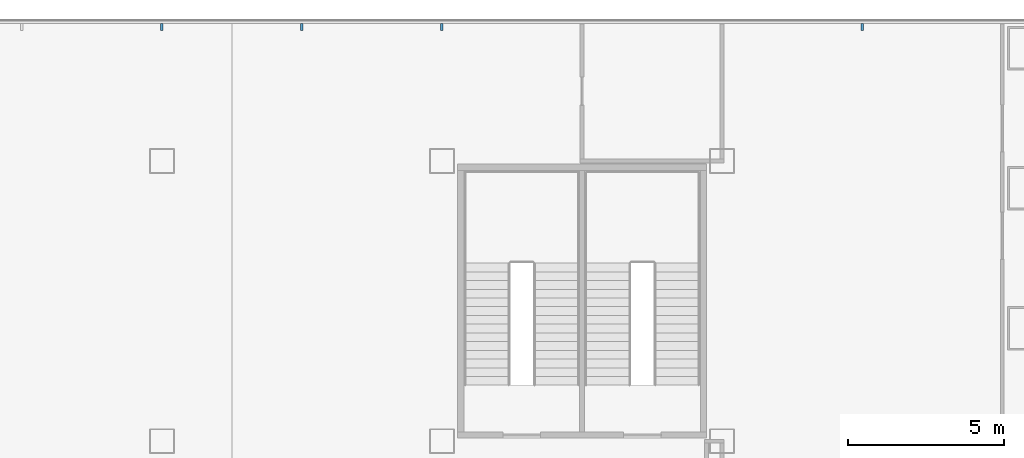
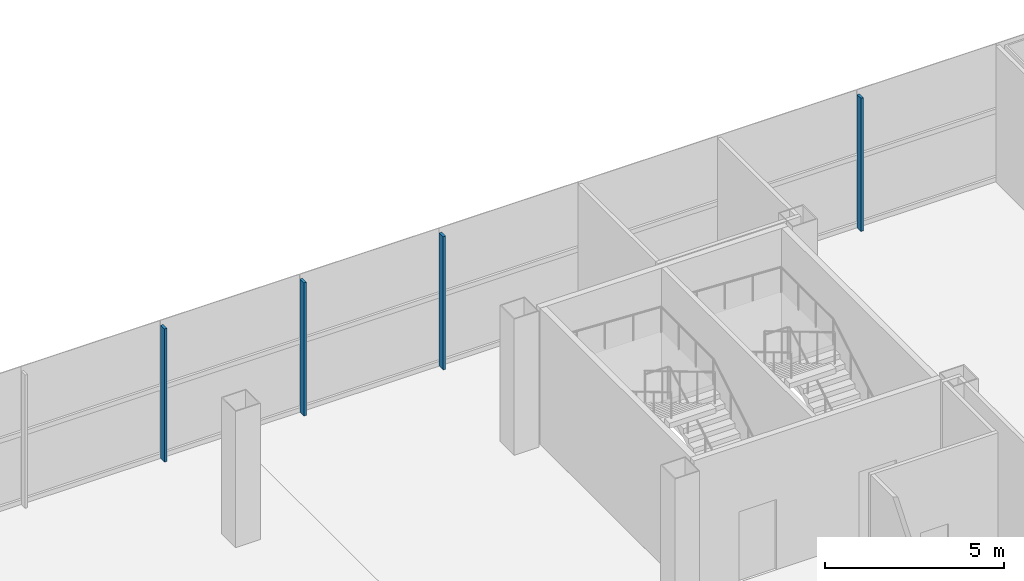
# One storey, part 12 of 30: 4 members, 1 element without a shape of its own.
"""IFC4 building model written with IfcOpenShell, lengths in metres."""

from ifc_helpers import new_model, si_unit, direction, frame, origin, origin_2d, place, context, subcontext, project, spatial, rectangle, extrude, material, layer, layer_set, material_profile, profile_set, type_object, element, aggregate, save


model = new_model("IFC4")

# Units and contexts
model_context = context("Model", 3, precision=1e-05, world=origin(), true_north=direction((0.0, 1.0)))
body_context = subcontext(model_context, "Body", "Model", "MODEL_VIEW")
ifc_project = project(units=[si_unit("LENGTHUNIT", "METRE"), si_unit("AREAUNIT", "SQUARE_METRE"), si_unit("VOLUMEUNIT", "CUBIC_METRE"), si_unit("PLANEANGLEUNIT", "RADIAN"), si_unit("MASSUNIT", "GRAM", prefix="KILO")], contexts=[model_context])

# Site, building, storey
site_placement = place(None, origin())
site = spatial("IfcSite", under=ifc_project, at=site_placement, CompositionType="ELEMENT")
building_placement = place(site_placement, origin())
building = spatial("IfcBuilding", under=site, at=building_placement, Name="Shamsa Quay Exchange Towers", CompositionType="ELEMENT")
storey_placement = place(building_placement, frame((0.0, 0.0, 23.5)))
storey = spatial("IfcBuildingStorey", under=building, at=storey_placement, Name="L04", CompositionType="ELEMENT", Elevation=23.5)

# Curtain wall, members
ifc_material = material(Name="Aluminium EN AW-6063 T6, black anodised", Category="aluminium")
ifc_layer = layer(ifc_material, 0.33203125)
ifc_layer_set = layer_set([ifc_layer], Name="CW-3 PODIUM SHOPFRONT GLAZING")
curtain_wall_type = type_object("IfcCurtainWallType", Name="CW-3 PODIUM SHOPFRONT GLAZING", PredefinedType="NOTDEFINED", material=ifc_layer_set)
curtain_wall_placement = place(storey_placement, origin())
curtain_wall = element("IfcCurtainWall", 1, at=curtain_wall_placement, inside=storey, type_object=curtain_wall_type, Name="CW3 PODIUM-L04-F01", PredefinedType="NOTDEFINED")
ifc_material_profile = material_profile(ifc_material, rectangle(XDim=0.219970703125, YDim=0.080078125, at=origin_2d()), Name="MU80x220")
ifc_profile_set = profile_set([ifc_material_profile], Name="Aluminium EN AW-6063 T6, black anodised")
member_type = type_object("IfcMemberType", Name="CW3 MULLION 80x220", PredefinedType="MULLION", material=ifc_profile_set)
member_1_placement = place(storey_placement, frame((22.5, 29.06005859375, 0.0), z_axis=(0.0, 0.0, 1.0), x_axis=(0.0, -1.0, 0.0)))
member_1 = element("IfcMember", 2, at=member_1_placement, type_object=member_type, Name="CW3 mullion", PredefinedType="MULLION", context=body_context, shape_type="SweptSolid", body=[
    extrude(rectangle(XDim=0.219970703125, YDim=0.080078125, at=origin_2d()), origin(), (0.0, 0.0, 1.0), 4.550048828125),
])
member_2_placement = place(storey_placement, frame((9.0, 29.06005859375, 0.0), z_axis=(0.0, 0.0, 1.0), x_axis=(0.0, -1.0, 0.0)))
member_2 = element("IfcMember", 3, at=member_2_placement, type_object=member_type, Name="CW3 mullion", PredefinedType="MULLION", context=body_context, shape_type="SweptSolid", body=[
    extrude(rectangle(XDim=0.219970703125, YDim=0.080078125, at=origin_2d()), origin(), (0.0, 0.0, 1.0), 4.550048828125),
])
member_3_placement = place(storey_placement, frame((4.5, 29.06005859375, 0.0), z_axis=(0.0, 0.0, 1.0), x_axis=(0.0, -1.0, 0.0)))
member_3 = element("IfcMember", 4, at=member_3_placement, type_object=member_type, Name="CW3 mullion", PredefinedType="MULLION", context=body_context, shape_type="SweptSolid", body=[
    extrude(rectangle(XDim=0.219970703125, YDim=0.080078125, at=origin_2d()), origin(), (0.0, 0.0, 1.0), 4.550048828125),
])
member_4_placement = place(storey_placement, frame((0.0, 29.06005859375, 0.0), z_axis=(0.0, 0.0, 1.0), x_axis=(0.0, -1.0, 0.0)))
member_4 = element("IfcMember", 5, at=member_4_placement, type_object=member_type, Name="CW3 mullion", PredefinedType="MULLION", context=body_context, shape_type="SweptSolid", body=[
    extrude(rectangle(XDim=0.219970703125, YDim=0.080078125, at=origin_2d()), origin(), (0.0, 0.0, 1.0), 4.550048828125),
])
aggregate(curtain_wall, [member_1, member_2, member_3, member_4])

save(model, "model.ifc")
